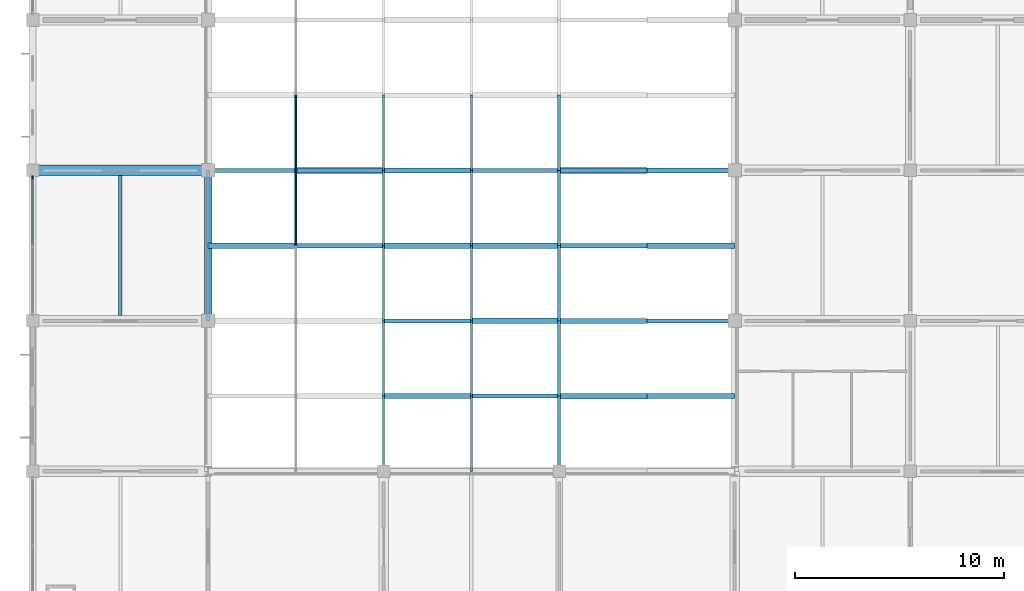
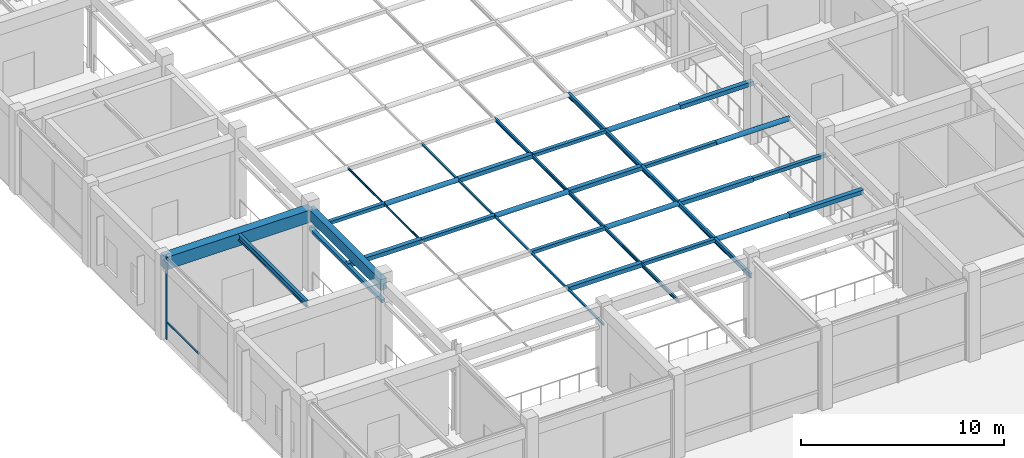
# One storey, part 7 of 38: 40 members, 3 beams, 1 element without a shape of its own.
"""IFC4 building model written with IfcOpenShell, lengths in metres."""

from ifc_helpers import new_model, si_unit, derived_unit, direction, frame, origin, origin_2d, place, context, subcontext, project, spatial, rectangle, hollow_rectangle, hollow_circle, i_section, extrude, material, material_profile, profile_set, type_object, element, aggregate, save


model = new_model("IFC4")

# Units and contexts
model_context = context("Model", 3, precision=1e-05, world=origin(), true_north=direction((0.0, 1.0)))
body_context = subcontext(model_context, "Body", "Model", "MODEL_VIEW")
ifc_project = project(units=[si_unit("LENGTHUNIT", "METRE"), si_unit("AREAUNIT", "SQUARE_METRE"), si_unit("VOLUMEUNIT", "CUBIC_METRE"), si_unit("PLANEANGLEUNIT", "RADIAN"), si_unit("MASSUNIT", "GRAM", prefix="KILO"), derived_unit("THERMALTRANSMITTANCEUNIT", [(si_unit("MASSUNIT", "GRAM", prefix="KILO"), 1), (si_unit("TIMEUNIT", "SECOND"), -3), (si_unit("THERMODYNAMICTEMPERATUREUNIT", "KELVIN"), -1)])], contexts=[model_context])

# Site, building, storey
site_placement = place(None, origin())
site = spatial("IfcSite", under=ifc_project, at=site_placement, CompositionType="ELEMENT")
building_placement = place(site_placement, origin())
building = spatial("IfcBuilding", under=site, at=building_placement, Name="Veldstrom Oceanarium and Marine Research Institute", CompositionType="ELEMENT")
storey_placement = place(building_placement, frame((0.0, 0.0, 16.800048828125)))
storey = spatial("IfcBuildingStorey", under=building, at=storey_placement, Name="L03", CompositionType="ELEMENT", Elevation=16.800048828125)

# Curtain wall, members
ifc_material_1 = material(Name="Anodised Aluminium Framing", Category="aluminium")
curtain_wall_type = type_object("IfcCurtainWallType", Name="ARC-CW-CW06", PredefinedType="USERDEFINED", material=ifc_material_1)
curtain_wall_placement = place(storey_placement, origin())
curtain_wall = element("IfcCurtainWall", 1, at=curtain_wall_placement, inside=storey, type_object=curtain_wall_type, Name="Curtain Wall CW06 CW-L03-045", ObjectType="Curtain wall", PredefinedType="USERDEFINED")
ifc_material_2 = material(Name="Anodised Aluminium Framing", Category="aluminium")
ifc_material_profile_1 = material_profile(ifc_material_2, rectangle(XDim=0.074951171875, YDim=0.179931640625, at=origin_2d()), Name="ALU-MUL-75x180")
ifc_profile_set_1 = profile_set([ifc_material_profile_1], Name="Anodised Aluminium Framing")
member_type_1 = type_object("IfcMemberType", Name="ARC-MUL-ML1", PredefinedType="MULLION", material=ifc_profile_set_1)
member_1_placement = place(storey_placement, frame((8.39990234375, 28.4599609375, 0.0), z_axis=(0.0, 0.0, 1.0), x_axis=(1.0, 0.0, 0.0)))
member_1 = element("IfcMember", 2, at=member_1_placement, type_object=member_type_1, Name="Curtain Wall Mullion CW-L03-045-MUL-3", PredefinedType="MULLION", context=body_context, shape_type="SweptSolid", body=[
    extrude(rectangle(XDim=0.074951171875, YDim=0.179931640625, at=origin_2d()), origin(), (0.0, 0.0, 1.0), 4.949951171875),
])
ifc_material_3 = material(Name="Anodised Aluminium Framing", Category="aluminium")
ifc_material_profile_2 = material_profile(ifc_material_3, rectangle(XDim=0.06494140625, YDim=0.1201171875, at=origin_2d()), Name="ALU-TRN-65x120")
ifc_profile_set_2 = profile_set([ifc_material_profile_2], Name="Anodised Aluminium Framing")
member_type_2 = type_object("IfcMemberType", Name="ARC-TRN-TR2", PredefinedType="USERDEFINED", material=ifc_profile_set_2)
member_2_placement = place(storey_placement, frame((8.39990234375, 25.239990234375, 1.050048828125), z_axis=(0.0, 1.0, 0.0), x_axis=(-1.0, 0.0, 0.0)))
member_2 = element("IfcMember", 3, at=member_2_placement, type_object=member_type_2, Name="Curtain Wall Transom CW-L03-045-TRN-2", ObjectType="Transom", PredefinedType="USERDEFINED", context=body_context, shape_type="SweptSolid", body=[
    extrude(rectangle(XDim=0.06494140625, YDim=0.1201171875, at=origin_2d()), origin(), (0.0, 0.0, 1.0), 3.179931640625),
])
aggregate(curtain_wall, [member_1, member_2])

# Beams
ifc_material_4 = material(Name="Concrete C40/50", Category="concrete")
ifc_material_profile_3 = material_profile(ifc_material_4, rectangle(XDim=0.5, YDim=0.75, at=origin_2d()), Name="RC-BM-500x750")
ifc_profile_set_3 = profile_set([ifc_material_profile_3], Name="Concrete C40/50")
beam_type_1 = type_object("IfcBeamType", Name="STR-BM-B03", PredefinedType="BEAM", material=ifc_profile_set_3)
beam_1_placement = place(storey_placement, frame((8.39990234375, 28.800048828125, 4.445068359375), z_axis=(1.0, 0.0, 0.0), x_axis=(0.0, 1.0, 0.0)))
element("IfcBeam", 4, at=beam_1_placement, inside=storey, type_object=beam_type_1, Name="Primary Beam B03 L03-1842", PredefinedType="BEAM", context=body_context, shape_type="SweptSolid", body=[
    extrude(rectangle(XDim=0.5, YDim=0.75, at=origin_2d()), origin(), (0.0, 0.0, 1.0), 8.400146484375),
])
ifc_material_5 = material(Name="Steel S355JR", Category="steel")
ifc_material_profile_4 = material_profile(ifc_material_5, i_section(OverallWidth=0.169921875, OverallDepth=0.360107421875, WebThickness=0.008056640625, FlangeThickness=0.0126953125, FilletRadius=0.01806640625, at=origin_2d()), Name="IPE 360")
ifc_profile_set_4 = profile_set([ifc_material_profile_4], Name="Steel S355JR")
beam_type_2 = type_object("IfcBeamType", Name="STR-JST-SJ1", PredefinedType="JOIST", material=ifc_profile_set_4)
beam_2_placement = place(storey_placement, frame((12.60009765625, 21.85009765625, 4.639892578125), z_axis=(0.0, 1.0, 0.0), x_axis=(-1.0, 0.0, 0.0)))
element("IfcBeam", 5, at=beam_2_placement, inside=storey, type_object=beam_type_2, Name="Secondary Joist SJ1 L03-2054", PredefinedType="JOIST", context=body_context, shape_type="SweptSolid", body=[
    extrude(i_section(OverallWidth=0.169921875, OverallDepth=0.360107421875, WebThickness=0.008056640625, FlangeThickness=0.0126953125, FilletRadius=0.01806640625, at=origin_2d()), origin(), (0.0, 0.0, 1.0), 6.699951171875),
])

# Members
ifc_material_6 = material(Name="Steel S355JR", Category="steel")
ifc_material_profile_5 = material_profile(ifc_material_6, hollow_rectangle(XDim=0.25, YDim=0.25, WallThickness=0.012451171875, at=origin_2d()), Name="SHS 250x250x12.5")
ifc_profile_set_5 = profile_set([ifc_material_profile_5], Name="Steel S355JR")
member_type_3 = type_object("IfcMemberType", Name="STR-MEM-CH1", PredefinedType="CHORD", material=ifc_profile_set_5)
for number, where, z_axis, x_axis, name in (
    (6, (25.199951171875, 18.0, 3.5), (1.0, 0.0, 0.0), (0.0, 1.0, 0.0), "Truss Bottom Chord RT02-3"),
    (7, (37.800048828125, 18.0, 3.5), (1.0, 0.0, 0.0), (0.0, 1.0, 0.0), "Truss Bottom Chord RT02-6"),
    (8, (33.60009765625, 21.60009765625, 3.5), (1.0, 0.0, 0.0), (0.0, 1.0, 0.0), "Truss Bottom Chord RT03-5"),
    (9, (16.800048828125, 25.199951171875, 3.5), (1.0, 0.0, 0.0), (0.0, 1.0, 0.0), "Truss Bottom Chord RT04-1"),
):
    element("IfcMember", number, at=place(storey_placement, frame(where, z_axis=z_axis, x_axis=x_axis)), inside=storey, type_object=member_type_3, Name=name, PredefinedType="CHORD", context=body_context, shape_type="SweptSolid", body=[
        extrude(hollow_rectangle(XDim=0.25, YDim=0.25, WallThickness=0.012451171875, at=origin_2d()), origin(), (0.0, 0.0, 1.0), 4.199951171875),
    ])
member_3_placement = place(storey_placement, frame((29.39990234375, 25.199951171875, 3.5), z_axis=(1.0, 0.0, 0.0), x_axis=(0.0, 1.0, 0.0)))
element("IfcMember", 10, at=member_3_placement, inside=storey, type_object=member_type_3, Name="Truss Bottom Chord RT04-4", PredefinedType="CHORD", context=body_context, shape_type="SweptSolid", body=[
    extrude(hollow_rectangle(XDim=0.25, YDim=0.25, WallThickness=0.012451171875, at=origin_2d()), origin(), (0.0, 0.0, 1.0), 4.2001953125),
])
for number, where, z_axis, x_axis, name in (
    (11, (25.199951171875, 28.800048828125, 3.5), (1.0, 0.0, 0.0), (0.0, 1.0, 0.0), "Truss Bottom Chord RT05-3"),
    (12, (37.800048828125, 28.800048828125, 3.5), (1.0, 0.0, 0.0), (0.0, 1.0, 0.0), "Truss Bottom Chord RT05-6"),
):
    element("IfcMember", number, at=place(storey_placement, frame(where, z_axis=z_axis, x_axis=x_axis)), inside=storey, type_object=member_type_3, Name=name, PredefinedType="CHORD", context=body_context, shape_type="SweptSolid", body=[
        extrude(hollow_rectangle(XDim=0.25, YDim=0.25, WallThickness=0.012451171875, at=origin_2d()), origin(), (0.0, 0.0, 1.0), 4.199951171875),
    ])
ifc_material_7 = material(Name="Steel S355JR", Category="steel")
ifc_material_profile_6 = material_profile(ifc_material_7, hollow_rectangle(XDim=0.199951171875, YDim=0.199951171875, WallThickness=0.012451171875, at=origin_2d()), Name="SHS 200x200x12.5")
ifc_profile_set_6 = profile_set([ifc_material_profile_6], Name="Steel S355JR")
member_type_4 = type_object("IfcMemberType", Name="STR-MEM-CH2", PredefinedType="CHORD", material=ifc_profile_set_6)
member_4_placement = place(storey_placement, frame((29.39990234375, 18.0, 3.5), z_axis=(1.0, 0.0, 0.0), x_axis=(0.0, 1.0, 0.0)))
element("IfcMember", 13, at=member_4_placement, inside=storey, type_object=member_type_4, Name="Truss Bottom Chord RT02-4", PredefinedType="CHORD", context=body_context, shape_type="SweptSolid", body=[
    extrude(hollow_rectangle(XDim=0.199951171875, YDim=0.199951171875, WallThickness=0.012451171875, at=origin_2d()), origin(), (0.0, 0.0, 1.0), 4.2001953125),
])
for number, where, z_axis, x_axis, name in (
    (14, (25.199951171875, 21.60009765625, 3.5), (1.0, 0.0, 0.0), (0.0, 1.0, 0.0), "Truss Bottom Chord RT03-3"),
    (15, (37.800048828125, 21.60009765625, 3.5), (1.0, 0.0, 0.0), (0.0, 1.0, 0.0), "Truss Bottom Chord RT03-6"),
    (16, (21.0, 25.199951171875, 3.5), (1.0, 0.0, 0.0), (0.0, 1.0, 0.0), "Truss Bottom Chord RT04-2"),
    (17, (33.60009765625, 25.199951171875, 3.5), (1.0, 0.0, 0.0), (0.0, 1.0, 0.0), "Truss Bottom Chord RT04-5"),
    (18, (16.800048828125, 28.800048828125, 3.5), (1.0, 0.0, 0.0), (0.0, 1.0, 0.0), "Truss Bottom Chord RT05-1"),
):
    element("IfcMember", number, at=place(storey_placement, frame(where, z_axis=z_axis, x_axis=x_axis)), inside=storey, type_object=member_type_4, Name=name, PredefinedType="CHORD", context=body_context, shape_type="SweptSolid", body=[
        extrude(hollow_rectangle(XDim=0.199951171875, YDim=0.199951171875, WallThickness=0.012451171875, at=origin_2d()), origin(), (0.0, 0.0, 1.0), 4.199951171875),
    ])
member_5_placement = place(storey_placement, frame((29.39990234375, 28.800048828125, 3.5), z_axis=(1.0, 0.0, 0.0), x_axis=(0.0, 1.0, 0.0)))
element("IfcMember", 19, at=member_5_placement, inside=storey, type_object=member_type_4, Name="Truss Bottom Chord RT05-4", PredefinedType="CHORD", context=body_context, shape_type="SweptSolid", body=[
    extrude(hollow_rectangle(XDim=0.199951171875, YDim=0.199951171875, WallThickness=0.012451171875, at=origin_2d()), origin(), (0.0, 0.0, 1.0), 4.2001953125),
])
member_6_placement = place(storey_placement, frame((16.800048828125, 21.60009765625, 3.5), z_axis=(0.0, 1.0, 0.0), x_axis=(-1.0, 0.0, 0.0)))
element("IfcMember", 20, at=member_6_placement, inside=storey, type_object=member_type_4, Name="Hall Truss Bottom Longitudinal Tie 3/D", PredefinedType="CHORD", context=body_context, shape_type="SweptSolid", body=[
    extrude(hollow_rectangle(XDim=0.199951171875, YDim=0.199951171875, WallThickness=0.012451171875, at=origin_2d()), origin(), (0.0, 0.0, 1.0), 7.199951171875),
])
ifc_material_8 = material(Name="Steel S355JR", Category="steel")
ifc_material_profile_7 = material_profile(ifc_material_8, hollow_circle(Radius=0.136474609375, WallThickness=0.012451171875, at=origin_2d()), Name="CHS 273x12.5")
ifc_profile_set_7 = profile_set([ifc_material_profile_7], Name="Steel S355JR")
member_type_5 = type_object("IfcMemberType", Name="STR-MEM-CH3", PredefinedType="CHORD", material=ifc_profile_set_7)
member_7_placement = place(storey_placement, frame((33.60009765625, 18.0, 3.5), z_axis=(1.0, 0.0, 0.0), x_axis=(0.0, 1.0, 0.0)))
element("IfcMember", 21, at=member_7_placement, inside=storey, type_object=member_type_5, Name="Truss Bottom Chord RT02-5", PredefinedType="CHORD", context=body_context, shape_type="SweptSolid", body=[
    extrude(hollow_circle(Radius=0.136474609375, WallThickness=0.012451171875, at=origin_2d()), origin(), (0.0, 0.0, 1.0), 4.199951171875),
])
member_8_placement = place(storey_placement, frame((29.39990234375, 21.60009765625, 3.5), z_axis=(1.0, 0.0, 0.0), x_axis=(0.0, 1.0, 0.0)))
element("IfcMember", 22, at=member_8_placement, inside=storey, type_object=member_type_5, Name="Truss Bottom Chord RT03-4", PredefinedType="CHORD", context=body_context, shape_type="SweptSolid", body=[
    extrude(hollow_circle(Radius=0.136474609375, WallThickness=0.012451171875, at=origin_2d()), origin(), (0.0, 0.0, 1.0), 4.2001953125),
])
for number, where, z_axis, x_axis, name in (
    (23, (25.199951171875, 25.199951171875, 3.5), (1.0, 0.0, 0.0), (0.0, 1.0, 0.0), "Truss Bottom Chord RT04-3"),
    (24, (37.800048828125, 25.199951171875, 3.5), (1.0, 0.0, 0.0), (0.0, 1.0, 0.0), "Truss Bottom Chord RT04-6"),
    (25, (21.0, 28.800048828125, 3.5), (1.0, 0.0, 0.0), (0.0, 1.0, 0.0), "Truss Bottom Chord RT05-2"),
    (26, (33.60009765625, 28.800048828125, 3.5), (1.0, 0.0, 0.0), (0.0, 1.0, 0.0), "Truss Bottom Chord RT05-5"),
):
    element("IfcMember", number, at=place(storey_placement, frame(where, z_axis=z_axis, x_axis=x_axis)), inside=storey, type_object=member_type_5, Name=name, PredefinedType="CHORD", context=body_context, shape_type="SweptSolid", body=[
        extrude(hollow_circle(Radius=0.136474609375, WallThickness=0.012451171875, at=origin_2d()), origin(), (0.0, 0.0, 1.0), 4.199951171875),
    ])
ifc_material_9 = material(Name="Steel S355JR", Category="steel")
ifc_material_profile_8 = material_profile(ifc_material_9, i_section(OverallWidth=0.10009765625, OverallDepth=0.199951171875, WebThickness=0.005615234375, FlangeThickness=0.008544921875, FilletRadius=0.011962890625, at=origin_2d()), Name="IPE 200")
ifc_profile_set_8 = profile_set([ifc_material_profile_8], Name="Steel S355JR")
member_type_6 = type_object("IfcMemberType", Name="STR-MEM-PR2", PredefinedType="PURLIN", material=ifc_profile_set_8)
for number, where, z_axis, x_axis, name in (
    (27, (29.39990234375, 14.39990234375, 3.5), (0.0, 1.0, 0.0), (-1.0, 0.0, 0.0), "Hall Truss Longitudinal Strut Tie ST-01-3"),
    (28, (29.39990234375, 18.0, 3.5), (0.0, 1.0, 0.0), (-1.0, 0.0, 0.0), "Hall Truss Longitudinal Strut Tie ST-02-3"),
):
    element("IfcMember", number, at=place(storey_placement, frame(where, z_axis=z_axis, x_axis=x_axis)), inside=storey, type_object=member_type_6, Name=name, PredefinedType="PURLIN", context=body_context, shape_type="SweptSolid", body=[
        extrude(i_section(OverallWidth=0.10009765625, OverallDepth=0.199951171875, WebThickness=0.005615234375, FlangeThickness=0.008544921875, FilletRadius=0.011962890625, at=origin_2d()), origin(), (0.0, 0.0, 1.0), 3.60009765625),
    ])
member_9_placement = place(storey_placement, frame((29.39990234375, 21.60009765625, 3.5), z_axis=(0.0, 1.0, 0.0), x_axis=(-1.0, 0.0, 0.0)))
element("IfcMember", 29, at=member_9_placement, inside=storey, type_object=member_type_6, Name="Hall Truss Longitudinal Strut Tie ST-03-3", PredefinedType="PURLIN", context=body_context, shape_type="SweptSolid", body=[
    extrude(i_section(OverallWidth=0.10009765625, OverallDepth=0.199951171875, WebThickness=0.005615234375, FlangeThickness=0.008544921875, FilletRadius=0.011962890625, at=origin_2d()), origin(), (0.0, 0.0, 1.0), 3.599853515625),
])
member_10_placement = place(storey_placement, frame((29.39990234375, 25.199951171875, 3.5), z_axis=(0.0, 1.0, 0.0), x_axis=(-1.0, 0.0, 0.0)))
element("IfcMember", 30, at=member_10_placement, inside=storey, type_object=member_type_6, Name="Hall Truss Longitudinal Strut Tie ST-04-3", PredefinedType="PURLIN", context=body_context, shape_type="SweptSolid", body=[
    extrude(i_section(OverallWidth=0.10009765625, OverallDepth=0.199951171875, WebThickness=0.005615234375, FlangeThickness=0.008544921875, FilletRadius=0.011962890625, at=origin_2d()), origin(), (0.0, 0.0, 1.0), 3.60009765625),
])
member_11_placement = place(storey_placement, frame((29.39990234375, 28.800048828125, 3.5), z_axis=(0.0, 1.0, 0.0), x_axis=(-1.0, 0.0, 0.0)))
element("IfcMember", 31, at=member_11_placement, inside=storey, type_object=member_type_6, Name="Hall Truss Longitudinal Strut Tie ST-05-3", PredefinedType="PURLIN", context=body_context, shape_type="SweptSolid", body=[
    extrude(i_section(OverallWidth=0.10009765625, OverallDepth=0.199951171875, WebThickness=0.005615234375, FlangeThickness=0.008544921875, FilletRadius=0.011962890625, at=origin_2d()), origin(), (0.0, 0.0, 1.0), 3.599853515625),
])
ifc_material_10 = material(Name="Steel S355JR", Category="steel")
ifc_material_profile_9 = material_profile(ifc_material_10, i_section(OverallWidth=0.135009765625, OverallDepth=0.27001953125, WebThickness=0.006591796875, FlangeThickness=0.01025390625, FilletRadius=0.014892578125, at=origin_2d()), Name="IPE 270")
ifc_profile_set_9 = profile_set([ifc_material_profile_9], Name="Steel S355JR")
member_type_7 = type_object("IfcMemberType", Name="STR-MEM-RF2", PredefinedType="RAFTER", material=ifc_profile_set_9)
for number, where, z_axis, x_axis, name in (
    (32, (33.60009765625, 14.39990234375, 3.5), (0.0, 1.0, 0.0), (-1.0, 0.0, 0.0), "Hall Truss Longitudinal Strut Tie ST-01-4"),
    (33, (33.60009765625, 18.0, 3.5), (0.0, 1.0, 0.0), (-1.0, 0.0, 0.0), "Hall Truss Longitudinal Strut Tie ST-02-4"),
):
    element("IfcMember", number, at=place(storey_placement, frame(where, z_axis=z_axis, x_axis=x_axis)), inside=storey, type_object=member_type_7, Name=name, PredefinedType="RAFTER", context=body_context, shape_type="SweptSolid", body=[
        extrude(i_section(OverallWidth=0.135009765625, OverallDepth=0.27001953125, WebThickness=0.006591796875, FlangeThickness=0.01025390625, FilletRadius=0.014892578125, at=origin_2d()), origin(), (0.0, 0.0, 1.0), 3.60009765625),
    ])
member_12_placement = place(storey_placement, frame((33.60009765625, 21.60009765625, 3.5), z_axis=(0.0, 1.0, 0.0), x_axis=(-1.0, 0.0, 0.0)))
element("IfcMember", 34, at=member_12_placement, inside=storey, type_object=member_type_7, Name="Hall Truss Longitudinal Strut Tie ST-03-4", PredefinedType="RAFTER", context=body_context, shape_type="SweptSolid", body=[
    extrude(i_section(OverallWidth=0.135009765625, OverallDepth=0.27001953125, WebThickness=0.006591796875, FlangeThickness=0.01025390625, FilletRadius=0.014892578125, at=origin_2d()), origin(), (0.0, 0.0, 1.0), 3.599853515625),
])
member_13_placement = place(storey_placement, frame((33.60009765625, 25.199951171875, 3.5), z_axis=(0.0, 1.0, 0.0), x_axis=(-1.0, 0.0, 0.0)))
element("IfcMember", 35, at=member_13_placement, inside=storey, type_object=member_type_7, Name="Hall Truss Longitudinal Strut Tie ST-04-4", PredefinedType="RAFTER", context=body_context, shape_type="SweptSolid", body=[
    extrude(i_section(OverallWidth=0.135009765625, OverallDepth=0.27001953125, WebThickness=0.006591796875, FlangeThickness=0.01025390625, FilletRadius=0.014892578125, at=origin_2d()), origin(), (0.0, 0.0, 1.0), 3.60009765625),
])
member_14_placement = place(storey_placement, frame((33.60009765625, 28.800048828125, 3.5), z_axis=(0.0, 1.0, 0.0), x_axis=(-1.0, 0.0, 0.0)))
element("IfcMember", 36, at=member_14_placement, inside=storey, type_object=member_type_7, Name="Hall Truss Longitudinal Strut Tie ST-05-4", PredefinedType="RAFTER", context=body_context, shape_type="SweptSolid", body=[
    extrude(i_section(OverallWidth=0.135009765625, OverallDepth=0.27001953125, WebThickness=0.006591796875, FlangeThickness=0.01025390625, FilletRadius=0.014892578125, at=origin_2d()), origin(), (0.0, 0.0, 1.0), 3.599853515625),
])
ifc_material_11 = material(Name="Steel S355JR", Category="steel")
ifc_material_profile_10 = material_profile(ifc_material_11, hollow_circle(Radius=0.05712890625, WallThickness=0.00634765625, at=origin_2d()), Name="CHS 114.3x6.3")
ifc_profile_set_10 = profile_set([ifc_material_profile_10], Name="Steel S355JR")
member_type_8 = type_object("IfcMemberType", Name="STR-MEM-ST1", PredefinedType="STRUT", material=ifc_profile_set_10)
member_15_placement = place(storey_placement, frame((21.0, 25.199951171875, 3.5), z_axis=(0.0, 1.0, 0.0), x_axis=(-1.0, 0.0, 0.0)))
element("IfcMember", 37, at=member_15_placement, inside=storey, type_object=member_type_8, Name="Hall Truss Longitudinal Strut Tie ST-04-1", PredefinedType="STRUT", context=body_context, shape_type="SweptSolid", body=[
    extrude(hollow_circle(Radius=0.05712890625, WallThickness=0.00634765625, at=origin_2d()), origin(), (0.0, 0.0, 1.0), 3.60009765625),
])
member_16_placement = place(storey_placement, frame((21.0, 28.800048828125, 3.5), z_axis=(0.0, 1.0, 0.0), x_axis=(-1.0, 0.0, 0.0)))
element("IfcMember", 38, at=member_16_placement, inside=storey, type_object=member_type_8, Name="Hall Truss Longitudinal Strut Tie ST-05-1", PredefinedType="STRUT", context=body_context, shape_type="SweptSolid", body=[
    extrude(hollow_circle(Radius=0.05712890625, WallThickness=0.00634765625, at=origin_2d()), origin(), (0.0, 0.0, 1.0), 3.599853515625),
])
ifc_material_12 = material(Name="Steel S355JR", Category="steel")
ifc_material_profile_11 = material_profile(ifc_material_12, hollow_rectangle(XDim=0.10009765625, YDim=0.10009765625, WallThickness=0.006103515625, at=origin_2d()), Name="SHS 100x100x6")
ifc_profile_set_11 = profile_set([ifc_material_profile_11], Name="Steel S355JR")
member_type_9 = type_object("IfcMemberType", Name="STR-MEM-ST2", PredefinedType="STRUT", material=ifc_profile_set_11)
for number, where, z_axis, x_axis, name in (
    (39, (25.199951171875, 14.39990234375, 3.5), (0.0, 1.0, 0.0), (-1.0, 0.0, 0.0), "Hall Truss Longitudinal Strut Tie ST-01-2"),
    (40, (25.199951171875, 18.0, 3.5), (0.0, 1.0, 0.0), (-1.0, 0.0, 0.0), "Hall Truss Longitudinal Strut Tie ST-02-2"),
):
    element("IfcMember", number, at=place(storey_placement, frame(where, z_axis=z_axis, x_axis=x_axis)), inside=storey, type_object=member_type_9, Name=name, PredefinedType="STRUT", context=body_context, shape_type="SweptSolid", body=[
        extrude(hollow_rectangle(XDim=0.10009765625, YDim=0.10009765625, WallThickness=0.006103515625, at=origin_2d()), origin(), (0.0, 0.0, 1.0), 3.60009765625),
    ])
member_17_placement = place(storey_placement, frame((25.199951171875, 21.60009765625, 3.5), z_axis=(0.0, 1.0, 0.0), x_axis=(-1.0, 0.0, 0.0)))
element("IfcMember", 41, at=member_17_placement, inside=storey, type_object=member_type_9, Name="Hall Truss Longitudinal Strut Tie ST-03-2", PredefinedType="STRUT", context=body_context, shape_type="SweptSolid", body=[
    extrude(hollow_rectangle(XDim=0.10009765625, YDim=0.10009765625, WallThickness=0.006103515625, at=origin_2d()), origin(), (0.0, 0.0, 1.0), 3.599853515625),
])
member_18_placement = place(storey_placement, frame((25.199951171875, 25.199951171875, 3.5), z_axis=(0.0, 1.0, 0.0), x_axis=(-1.0, 0.0, 0.0)))
element("IfcMember", 42, at=member_18_placement, inside=storey, type_object=member_type_9, Name="Hall Truss Longitudinal Strut Tie ST-04-2", PredefinedType="STRUT", context=body_context, shape_type="SweptSolid", body=[
    extrude(hollow_rectangle(XDim=0.10009765625, YDim=0.10009765625, WallThickness=0.006103515625, at=origin_2d()), origin(), (0.0, 0.0, 1.0), 3.60009765625),
])
member_19_placement = place(storey_placement, frame((25.199951171875, 28.800048828125, 3.5), z_axis=(0.0, 1.0, 0.0), x_axis=(-1.0, 0.0, 0.0)))
element("IfcMember", 43, at=member_19_placement, inside=storey, type_object=member_type_9, Name="Hall Truss Longitudinal Strut Tie ST-05-2", PredefinedType="STRUT", context=body_context, shape_type="SweptSolid", body=[
    extrude(hollow_rectangle(XDim=0.10009765625, YDim=0.10009765625, WallThickness=0.006103515625, at=origin_2d()), origin(), (0.0, 0.0, 1.0), 3.599853515625),
])

# Beam
ifc_material_13 = material(Name="Concrete C40/50", Category="concrete")
ifc_material_profile_12 = material_profile(ifc_material_13, rectangle(XDim=0.35009765625, YDim=0.64990234375, at=origin_2d()), Name="RC-SPN-350x650")
ifc_profile_set_12 = profile_set([ifc_material_profile_12], Name="Concrete C40/50")
beam_type_3 = type_object("IfcBeamType", Name="STR-SPN-SP1", PredefinedType="SPANDREL", material=ifc_profile_set_12)
beam_3_placement = place(storey_placement, frame((16.800048828125, 21.60009765625, 4.494873046875), z_axis=(0.0, 1.0, 0.0), x_axis=(-1.0, 0.0, 0.0)))
element("IfcBeam", 44, at=beam_3_placement, inside=storey, type_object=beam_type_3, Name="Perimeter Spandrel SPB1 L03-1959", PredefinedType="SPANDREL", context=body_context, shape_type="SweptSolid", body=[
    extrude(rectangle(XDim=0.35009765625, YDim=0.64990234375, at=origin_2d()), origin(), (0.0, 0.0, 1.0), 7.199951171875),
])

save(model, "model.ifc")
